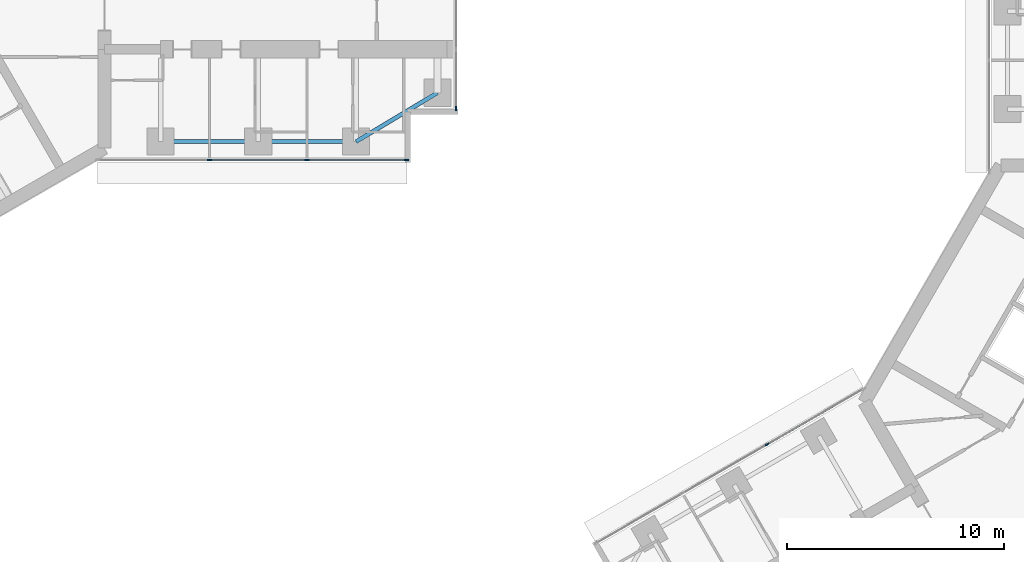
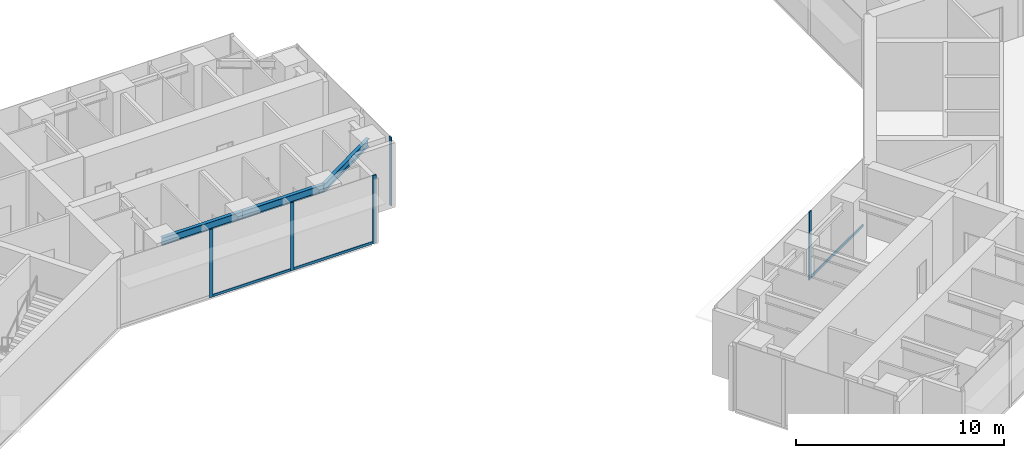
# One storey, part 4 of 23: 8 members, 3 beams, 3 elements without a shape of their own.
"""IFC4 building model written with IfcOpenShell, lengths in metres."""

from ifc_helpers import new_model, si_unit, direction, frame, origin, origin_2d, place, context, subcontext, project, spatial, rectangle, i_section, extrude, material, material_profile, profile_set, type_object, element, aggregate, save


model = new_model("IFC4")

# Units and contexts
model_context = context("Model", 3, precision=1e-05, world=origin(), true_north=direction((0.0, 1.0)))
body_context = subcontext(model_context, "Body", "Model", "MODEL_VIEW")
ifc_project = project(units=[si_unit("LENGTHUNIT", "METRE"), si_unit("AREAUNIT", "SQUARE_METRE"), si_unit("VOLUMEUNIT", "CUBIC_METRE"), si_unit("PLANEANGLEUNIT", "RADIAN"), si_unit("MASSUNIT", "GRAM", prefix="KILO")], contexts=[model_context])

# Site, building, storey
site_placement = place(None, origin())
site = spatial("IfcSite", under=ifc_project, at=site_placement, CompositionType="ELEMENT")
building_placement = place(site_placement, origin())
building = spatial("IfcBuilding", under=site, at=building_placement, Name="Upepo Twin Towers", CompositionType="ELEMENT")
storey_placement = place(building_placement, frame((0.0, 0.0, 157.5)))
storey = spatial("IfcBuildingStorey", under=building, at=storey_placement, Name="L38", CompositionType="ELEMENT", Elevation=157.5)

# Beams
ifc_material_1 = material(Name="Steel S355", Category="steel")
ifc_material_profile_1 = material_profile(ifc_material_1, i_section(OverallWidth=0.1904296875, OverallDepth=0.45703125, WebThickness=0.009033203125, FlangeThickness=0.014404296875, FilletRadius=0.01025390625, at=origin_2d()), Name="UB 457x191x74")
ifc_profile_set_1 = profile_set([ifc_material_profile_1], Name="Steel S355")
beam_type = type_object("IfcBeamType", Name="Beam UB 457x191x74", PredefinedType="BEAM", material=ifc_profile_set_1)
for number, where, z_axis, x_axis, name in (
    (1, (13.5, -6.0, 3.571533203125), (1.0, 0.0, 0.0), (0.0, 1.0, 0.0), "T1 edge beam AR 13.5-18.0"),
    (2, (18.0, -6.0, 3.571533203125), (1.0, 0.0, 0.0), (0.0, 1.0, 0.0), "T1 edge beam AR 18.0-22.5"),
):
    element("IfcBeam", number, at=place(storey_placement, frame(where, z_axis=z_axis, x_axis=x_axis)), inside=storey, type_object=beam_type, Name=name, PredefinedType="BEAM", context=body_context, shape_type="SweptSolid", body=[
        extrude(i_section(OverallWidth=0.1904296875, OverallDepth=0.45703125, WebThickness=0.009033203125, FlangeThickness=0.014404296875, FilletRadius=0.01025390625, at=origin_2d()), origin(), (0.0, 0.0, 1.0), 4.5),
    ])
beam_placement = place(storey_placement, frame((22.5, -6.0, 3.571533203125), z_axis=(0.857492925713, 0.514495755428, 0.0), x_axis=(-0.514495755428, 0.857492925713, 0.0)))
element("IfcBeam", 3, at=beam_placement, inside=storey, type_object=beam_type, Name="T1 nose edge beam AR", PredefinedType="BEAM", context=body_context, shape_type="SweptSolid", body=[
    extrude(i_section(OverallWidth=0.1904296875, OverallDepth=0.45703125, WebThickness=0.009033203125, FlangeThickness=0.014404296875, FilletRadius=0.01025390625, at=origin_2d()), origin(), (0.0, 0.0, 1.0), 4.373291015625),
])

# Curtain wall, members
ifc_material_2 = material(Name="Aluminium and fritted glass", Category="aluminium")
curtain_wall_type = type_object("IfcCurtainWallType", Name="Tower curtain wall TW2, fritted glass", PredefinedType="NOTDEFINED", material=ifc_material_2)
curtain_wall_1_placement = place(storey_placement, origin())
curtain_wall_1 = element("IfcCurtainWall", 4, at=curtain_wall_1_placement, inside=storey, type_object=curtain_wall_type, Name="T1 L38 wing A flank R curtain wall", PredefinedType="NOTDEFINED")
ifc_material_3 = material(Name="Aluminium mullion", Category="aluminium")
ifc_material_profile_2 = material_profile(ifc_material_3, rectangle(XDim=0.06494140625, YDim=0.199951171875, at=origin_2d()), Name="MULLION 65x200")
ifc_profile_set_2 = profile_set([ifc_material_profile_2], Name="Aluminium mullion")
member_type_1 = type_object("IfcMemberType", Name="Mullion 65x200 TW2", PredefinedType="MULLION", material=ifc_profile_set_2)
member_1_placement = place(storey_placement, frame((24.8173828125, -6.85009765625, 0.0), z_axis=(0.0, 0.0, 1.0), x_axis=(0.0, -1.0, 0.0)))
member_1 = element("IfcMember", 5, at=member_1_placement, type_object=member_type_1, Name="T1 L38 wing A flank R curtain wall mullion 1", PredefinedType="MULLION", context=body_context, shape_type="SweptSolid", body=[
    extrude(rectangle(XDim=0.06494140625, YDim=0.199951171875, at=origin_2d()), origin(), (0.0, 0.0, 1.0), 4.0),
])
member_2_placement = place(storey_placement, frame((20.25, -6.85009765625, 0.0), z_axis=(0.0, 0.0, 1.0), x_axis=(0.0, -1.0, 0.0)))
member_2 = element("IfcMember", 6, at=member_2_placement, type_object=member_type_1, Name="T1 L38 wing A flank R curtain wall mullion 2", PredefinedType="MULLION", context=body_context, shape_type="SweptSolid", body=[
    extrude(rectangle(XDim=0.06494140625, YDim=0.199951171875, at=origin_2d()), origin(), (0.0, 0.0, 1.0), 4.0),
])
member_3_placement = place(storey_placement, frame((15.75, -6.85009765625, 0.0), z_axis=(0.0, 0.0, 1.0), x_axis=(0.0, -1.0, 0.0)))
member_3 = element("IfcMember", 7, at=member_3_placement, type_object=member_type_1, Name="T1 L38 wing A flank R curtain wall mullion 3", PredefinedType="MULLION", context=body_context, shape_type="SweptSolid", body=[
    extrude(rectangle(XDim=0.06494140625, YDim=0.199951171875, at=origin_2d()), origin(), (0.0, 0.0, 1.0), 4.0),
])

# Curtain wall, member
curtain_wall_2_placement = place(storey_placement, origin())
curtain_wall_2 = element("IfcCurtainWall", 8, at=curtain_wall_2_placement, inside=storey, type_object=curtain_wall_type, Name="T1 L38 wing A nose curtain wall", PredefinedType="NOTDEFINED")
member_4_placement = place(storey_placement, frame((27.10009765625, -4.467529296875, 0.0), z_axis=(0.0, 0.0, 1.0), x_axis=(-1.0, 0.0, 0.0)))
member_4 = element("IfcMember", 9, at=member_4_placement, type_object=member_type_1, Name="T1 L38 wing A nose curtain wall mullion 1", PredefinedType="MULLION", context=body_context, shape_type="SweptSolid", body=[
    extrude(rectangle(XDim=0.06494140625, YDim=0.199951171875, at=origin_2d()), origin(), (0.0, 0.0, 1.0), 4.0),
])
aggregate(curtain_wall_2, [member_4])

curtain_wall_3_placement = place(storey_placement, origin())
curtain_wall_3 = element("IfcCurtainWall", 10, at=curtain_wall_3_placement, inside=storey, type_object=curtain_wall_type, Name="T2 L38 wing B flank R curtain wall", PredefinedType="NOTDEFINED")
member_5_placement = place(storey_placement, frame((41.43505859375, -19.942626953125, 0.0), z_axis=(0.0, 0.0, 1.0), x_axis=(-0.500000010308, 0.866025397833, 0.0)))
member_5 = element("IfcMember", 11, at=member_5_placement, type_object=member_type_1, Name="T2 L38 wing B flank R curtain wall mullion 3", PredefinedType="MULLION", context=body_context, shape_type="SweptSolid", body=[
    extrude(rectangle(XDim=0.06494140625, YDim=0.199951171875, at=origin_2d()), origin(), (0.0, 0.0, 1.0), 4.0),
])

# Member
ifc_material_4 = material(Name="Aluminium transom", Category="aluminium")
ifc_material_profile_3 = material_profile(ifc_material_4, rectangle(XDim=0.06494140625, YDim=0.14990234375, at=origin_2d()), Name="TRANSOM 65x150")
ifc_profile_set_3 = profile_set([ifc_material_profile_3], Name="Aluminium transom")
member_type_2 = type_object("IfcMemberType", Name="Transom 65x150 TW2", PredefinedType="USERDEFINED", material=ifc_profile_set_3)
member_6_placement = place(storey_placement, frame((24.784912109375, -6.85009765625, 0.074951171875), z_axis=(-1.0, 0.0, 0.0), x_axis=(0.0, -1.0, 0.0)))
member_6 = element("IfcMember", 12, at=member_6_placement, type_object=member_type_2, Name="T1 L38 wing A flank R curtain wall transom 1", ObjectType="TRANSOM", PredefinedType="USERDEFINED", context=body_context, shape_type="SweptSolid", body=[
    extrude(rectangle(XDim=0.06494140625, YDim=0.14990234375, at=origin_2d()), origin(), (0.0, 0.0, 1.0), 4.50244140625),
])

member_7_placement = place(storey_placement, frame((20.217529296875, -6.85009765625, 0.074951171875), z_axis=(-1.0, 0.0, 0.0), x_axis=(0.0, -1.0, 0.0)))
member_7 = element("IfcMember", 13, at=member_7_placement, type_object=member_type_2, Name="T1 L38 wing A flank R curtain wall transom 2", ObjectType="TRANSOM", PredefinedType="USERDEFINED", context=body_context, shape_type="SweptSolid", body=[
    extrude(rectangle(XDim=0.06494140625, YDim=0.14990234375, at=origin_2d()), origin(), (0.0, 0.0, 1.0), 4.43505859375),
])

aggregate(curtain_wall_1, [member_1, member_2, member_3, member_6, member_7])

member_8_placement = place(storey_placement, frame((41.463134765625, -19.926513671875, 0.074951171875), z_axis=(0.866033897268, 0.499985288567, 0.0), x_axis=(-0.499985288567, 0.866033897268, 0.0)))
member_8 = element("IfcMember", 14, at=member_8_placement, type_object=member_type_2, Name="T2 L38 wing B flank R curtain wall transom 3", ObjectType="TRANSOM", PredefinedType="USERDEFINED", context=body_context, shape_type="SweptSolid", body=[
    extrude(rectangle(XDim=0.06494140625, YDim=0.14990234375, at=origin_2d()), origin(), (0.0, 0.0, 1.0), 5.065673828125),
])

aggregate(curtain_wall_3, [member_5, member_8])

save(model, "model.ifc")
